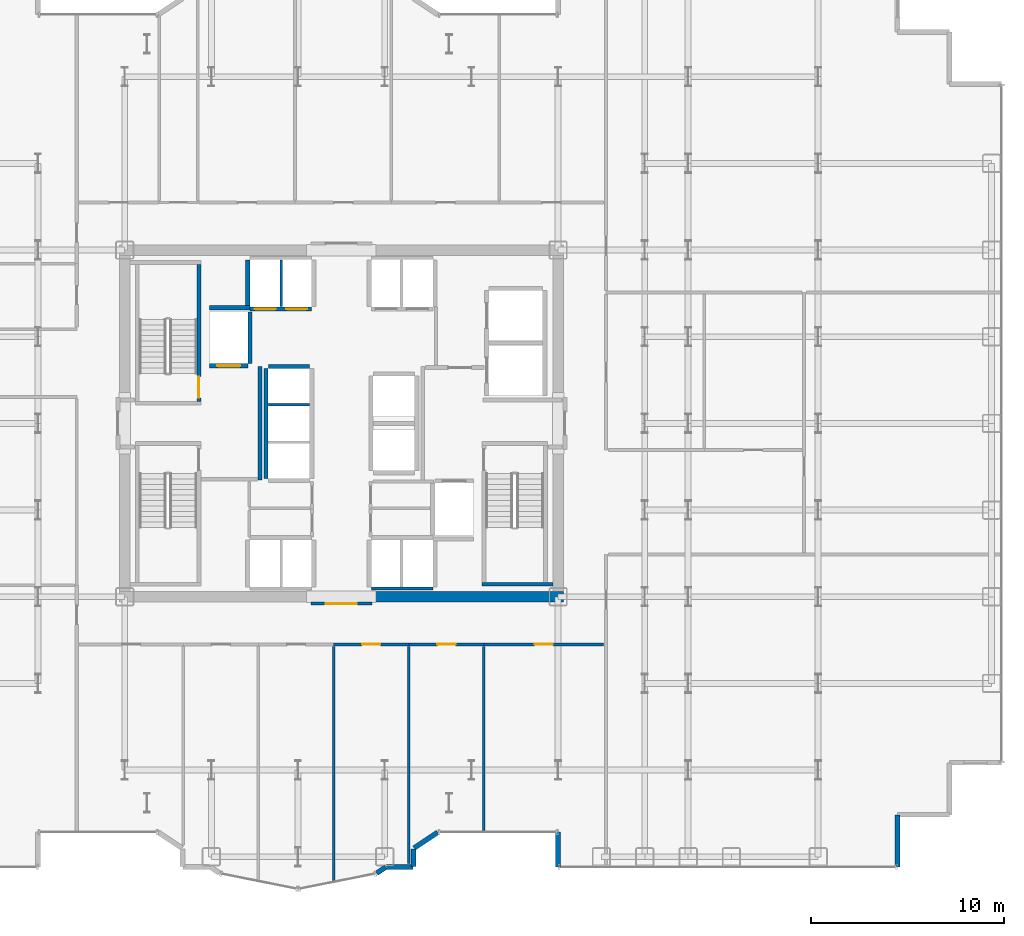
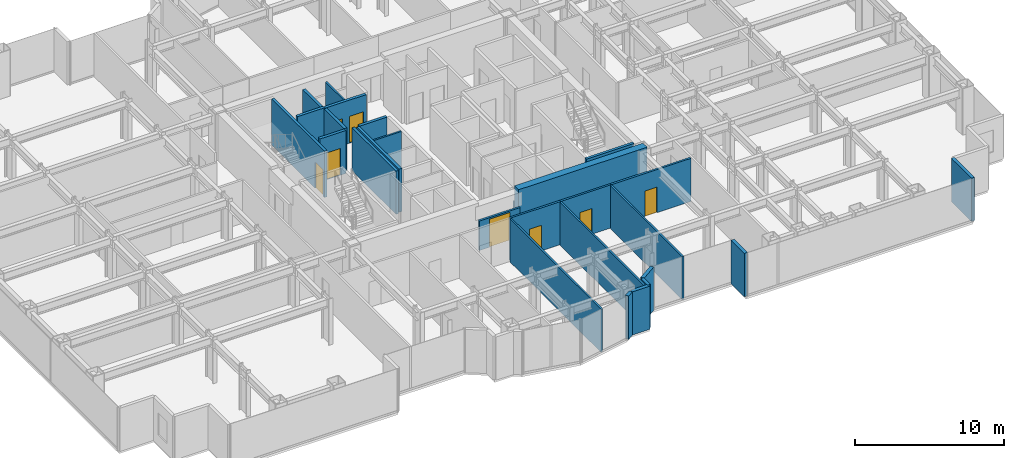
# One storey, part 21 of 26: 27 walls, 8 doors, 8 openings.
"""IFC4 building model written with IfcOpenShell, lengths in metres."""

from ifc_helpers import new_model, si_unit, direction, frame, frame_2d, origin, place, context, subcontext, project, spatial, rectangle, extrude, source, transform, mapped, material, layer, layer_set, type_object, element, fill, save


model = new_model("IFC4")

# Units and contexts
model_context = context("Model", 3, precision=1e-05, world=origin(), true_north=direction((0.0, 1.0)))
body_context = subcontext(model_context, "Body", "Model", "MODEL_VIEW")
ifc_project = project(units=[si_unit("LENGTHUNIT", "METRE"), si_unit("AREAUNIT", "SQUARE_METRE"), si_unit("VOLUMEUNIT", "CUBIC_METRE"), si_unit("PLANEANGLEUNIT", "RADIAN"), si_unit("MASSUNIT", "GRAM", prefix="KILO")], contexts=[model_context])

# Site, building, storey
site_placement = place(None, origin())
site = spatial("IfcSite", under=ifc_project, at=site_placement, CompositionType="ELEMENT")
building_placement = place(site_placement, origin())
building = spatial("IfcBuilding", under=site, at=building_placement, Name="Nefas-Gora Pilgrimage Tower", CompositionType="ELEMENT")
storey_placement = place(building_placement, frame((0.0, 0.0, 94.60009765625)))
storey = spatial("IfcBuildingStorey", under=building, at=storey_placement, Name="L22", CompositionType="ELEMENT", Elevation=94.60009765625)

# Walls
ifc_material_1 = material(Name="Concrete C60/75", Category="concrete")
ifc_layer_1 = layer(ifc_material_1, 0.550048828125)
ifc_layer_set_1 = layer_set([ifc_layer_1], Name="Concrete C60/75")
wall_type_1 = type_object("IfcWallType", Name="SW-CORE-550", PredefinedType="SHEAR", material=ifc_layer_set_1)
shared_shape_1 = source(origin(), body_context, "Body", "SweptSolid", [
    extrude(rectangle(XDim=9.974853515625, YDim=0.550048828125, at=frame_2d((4.9873046875, 0.0))), origin(), (0.0, 0.0, 1.0), 3.7998046875),
])
wall_1_placement = place(storey_placement, frame((1.550048828125, -9.0, 0.0), z_axis=(0.0, 0.0, 1.0), x_axis=(1.0, 0.0, 0.0)))
element("IfcWall", 1, at=wall_1_placement, inside=storey, type_object=wall_type_1, Name="L22 Core Shear Wall S-East", PredefinedType="SHEAR", context=body_context, shape_type="MappedRepresentation", body=[
    mapped(shared_shape_1, transform((0.0, 0.0, 0.0), x_axis=(1.0, 0.0, 0.0), y_axis=(0.0, 1.0, 0.0), z_axis=(0.0, 0.0, 1.0), scale=1.0)),
])
ifc_material_2 = material(Name="Precast concrete C40/50", Category="concrete")
ifc_layer_2 = layer(ifc_material_2, 0.260009765625)
ifc_layer_set_2 = layer_set([ifc_layer_2], Name="Precast concrete C40/50")
wall_type_2 = type_object("IfcWallType", Name="EW-PORTAL-260", PredefinedType="SOLIDWALL", material=ifc_layer_set_2)
shared_shape_2 = source(origin(), body_context, "Body", "SweptSolid", [
    extrude(rectangle(XDim=1.800048828125, YDim=0.260009765625, at=frame_2d((0.89990234375, 0.0))), origin(), (0.0, 0.0, 1.0), 3.5498046875),
])
wall_2_placement = place(storey_placement, frame((11.25, -21.219970703125, 0.0), z_axis=(0.0, 0.0, 1.0), x_axis=(0.0, -1.0, 0.0)))
element("IfcWall", 2, at=wall_2_placement, inside=storey, type_object=wall_type_2, Name="L22 Lobe Shoulder Precast Spandrel Pier 1", PredefinedType="SOLIDWALL", context=body_context, shape_type="MappedRepresentation", body=[
    mapped(shared_shape_2, transform((0.0, 0.0, 0.0), x_axis=(1.0, 0.0, 0.0), y_axis=(0.0, 1.0, 0.0), z_axis=(0.0, 0.0, 1.0), scale=1.0)),
])
ifc_material_3 = material(Name="Precast concrete C45/55", Category="concrete")
ifc_layer_3 = layer(ifc_material_3, 0.239990234375)
ifc_layer_set_3 = layer_set([ifc_layer_3], Name="Precast concrete C45/55")
wall_type_3 = type_object("IfcWallType", Name="EW-SERR-240", PredefinedType="SHEAR", material=ifc_layer_set_3)
shared_shape_3 = source(origin(), body_context, "Body", "SweptSolid", [
    extrude(rectangle(XDim=2.699951171875, YDim=0.239990234375, at=frame_2d((1.35009765625, 0.0))), origin(), (0.0, 0.0, 1.0), 3.5498046875),
])
wall_3_placement = place(storey_placement, frame((28.8701171875, -23.02001953125, 0.0), z_axis=(0.0, 0.0, 1.0), x_axis=(0.0, 1.0, 0.0)))
element("IfcWall", 3, at=wall_3_placement, inside=storey, type_object=wall_type_3, Name="L22 Serrated Corner Shear Pier Wall 2", PredefinedType="SHEAR", context=body_context, shape_type="MappedRepresentation", body=[
    mapped(shared_shape_3, transform((0.0, 0.0, 0.0), x_axis=(1.0, 0.0, 0.0), y_axis=(0.0, 1.0, 0.0), z_axis=(0.0, 0.0, 1.0), scale=1.0)),
])
shared_shape_4 = source(origin(), body_context, "Body", "SweptSolid", [
    extrude(rectangle(XDim=1.468994140625, YDim=0.260009765625, at=frame_2d((0.734375, 0.0))), origin(), (0.0, 0.0, 1.0), 3.5498046875),
])
wall_4_placement = place(storey_placement, frame((3.773193359375, -22.0517578125, 0.0), z_axis=(0.0, 0.0, 1.0), x_axis=(0.831461760506, 0.555581983884, 0.0)))
element("IfcWall", 4, at=wall_4_placement, inside=storey, type_object=wall_type_2, Name="L22 Lobe Shoulder Precast Spandrel Pier 36", PredefinedType="SOLIDWALL", context=body_context, shape_type="MappedRepresentation", body=[
    mapped(shared_shape_4, transform((0.0, 0.0, 0.0), x_axis=(1.0, 0.0, 0.0), y_axis=(0.0, 1.0, 0.0), z_axis=(0.0, 0.0, 1.0), scale=1.0)),
])
shared_shape_5 = source(origin(), body_context, "Body", "SweptSolid", [
    extrude(rectangle(XDim=0.896728515625, YDim=0.260009765625, at=frame_2d((0.4482421875, 0.0))), origin(), (0.0, 0.0, 1.0), 3.5498046875),
])
wall_5_placement = place(storey_placement, frame((3.75, -22.991943359375, 0.0), z_axis=(0.0, 0.0, 1.0), x_axis=(0.0, 1.0, 0.0)))
element("IfcWall", 5, at=wall_5_placement, inside=storey, type_object=wall_type_2, Name="L22 Lobe Shoulder Precast Spandrel Pier 35", PredefinedType="SOLIDWALL", context=body_context, shape_type="MappedRepresentation", body=[
    mapped(shared_shape_5, transform((0.0, 0.0, 0.0), x_axis=(1.0, 0.0, 0.0), y_axis=(0.0, 1.0, 0.0), z_axis=(0.0, 0.0, 1.0), scale=1.0)),
])
shared_shape_6 = source(origin(), body_context, "Body", "SweptSolid", [
    extrude(rectangle(XDim=1.369873046875, YDim=0.260009765625, at=frame_2d((0.68505859375, 0.0))), origin(), (0.0, 0.0, 1.0), 3.5498046875),
])
wall_6_placement = place(storey_placement, frame((2.35205078125, -23.02001953125, 0.0), z_axis=(0.0, 0.0, 1.0), x_axis=(1.0, 0.0, 0.0)))
element("IfcWall", 6, at=wall_6_placement, inside=storey, type_object=wall_type_2, Name="L22 Lobe Shoulder Precast Spandrel Pier 34", PredefinedType="SOLIDWALL", context=body_context, shape_type="MappedRepresentation", body=[
    mapped(shared_shape_6, transform((0.0, 0.0, 0.0), x_axis=(1.0, 0.0, 0.0), y_axis=(0.0, 1.0, 0.0), z_axis=(0.0, 0.0, 1.0), scale=1.0)),
])
shared_shape_7 = source(origin(), body_context, "Body", "SweptSolid", [
    extrude(rectangle(XDim=0.5654296875, YDim=0.260009765625, at=frame_2d((0.28271484375, 0.0))), origin(), (0.0, 0.0, 1.0), 3.5498046875),
])
wall_7_placement = place(storey_placement, frame((1.83056640625, -23.349609375, 0.0), z_axis=(0.0, 0.0, 1.0), x_axis=(0.831651492666, 0.555297933317, 0.0)))
element("IfcWall", 7, at=wall_7_placement, inside=storey, type_object=wall_type_2, Name="L22 Lobe Shoulder Precast Spandrel Pier 33", PredefinedType="SOLIDWALL", context=body_context, shape_type="MappedRepresentation", body=[
    mapped(shared_shape_7, transform((0.0, 0.0, 0.0), x_axis=(1.0, 0.0, 0.0), y_axis=(0.0, 1.0, 0.0), z_axis=(0.0, 0.0, 1.0), scale=1.0)),
])

# Wall, opening, door
ifc_material_4 = material(Name="Concrete C45/55", Category="concrete")
ifc_layer_4 = layer(ifc_material_4, 0.199951171875)
ifc_layer_set_4 = layer_set([ifc_layer_4], Name="Concrete C45/55")
wall_type_4 = type_object("IfcWallType", Name="IW-STAIR-200", PredefinedType="SOLIDWALL", material=ifc_layer_set_4)
shared_shape_8 = source(origin(), body_context, "Body", "SweptSolid", [
    extrude(rectangle(XDim=7.10009765625, YDim=0.199951171875, at=frame_2d((3.550048828125, 0.0))), origin(), (0.0, 0.0, 1.0), 3.7998046875),
])
wall_8_placement = place(storey_placement, frame((-7.39990234375, 1.14990234375, 0.0), z_axis=(0.0, 0.0, 1.0), x_axis=(0.0, 1.0, 0.0)))
wall_8 = element("IfcWall", 8, at=wall_8_placement, inside=storey, type_object=wall_type_4, Name="L22 Stairwell Shear Wall ST-01-left", PredefinedType="SOLIDWALL", context=body_context, shape_type="MappedRepresentation", body=[
    mapped(shared_shape_8, transform((0.0, 0.0, 0.0), x_axis=(1.0, 0.0, 0.0), y_axis=(0.0, 1.0, 0.0), z_axis=(0.0, 0.0, 1.0), scale=1.0)),
])
opening_1_placement = place(wall_8_placement, frame((0.179931640625, 0.0, 0.0)))
opening_1 = element("IfcOpeningElement", 9, at=opening_1_placement, cuts=wall_8, Name="Opening ID-ST1", PredefinedType="OPENING", context=body_context, shape_type="SweptSolid", body=[
    extrude(rectangle(XDim=1.10009765625, YDim=2.14990234375, at=frame_2d((0.550048828125, 1.074951171875))), frame((0.0, 0.10986328125, 0.0), z_axis=(0.0, -1.0, 0.0), x_axis=(1.0, 0.0, 0.0)), (0.0, 0.0, 1.0), 0.219970703125),
])
ifc_material_5 = material(Name="Painted galvanised steel fire stair door", Category="steel")
door_type_1 = type_object("IfcDoorType", Name="DR-INT-STAIR-1100", OperationType="NOTDEFINED", PredefinedType="DOOR", material=ifc_material_5)
shared_shape_9 = source(origin(), body_context, "Body", "SweptSolid", [
    extrude(rectangle(XDim=1.10009765625, YDim=2.14990234375, at=frame_2d((0.550048828125, 1.074951171875))), frame((0.0, 0.02490234375, 0.0), z_axis=(0.0, -1.0, 0.0), x_axis=(1.0, 0.0, 0.0)), (0.0, 0.0, 1.0), 0.050048828125),
])
door_1_placement = place(opening_1_placement, origin())
door_1 = element("IfcDoor", 10, at=door_1_placement, inside=storey, type_object=door_type_1, Name="L22 Protected Exit Stair Door ST-01", OperationType="SINGLE_SWING_RIGHT", OverallHeight=2.14990234375, OverallWidth=1.10009765625, PredefinedType="DOOR", context=body_context, shape_type="MappedRepresentation", body=[
    mapped(shared_shape_9, transform((0.0, 0.0, 0.0), x_axis=(1.0, 0.0, 0.0), y_axis=(0.0, 1.0, 0.0), z_axis=(0.0, 0.0, 1.0), scale=1.0)),
])
fill(opening_1, door_1)

# Wall
shared_shape_10 = source(origin(), body_context, "Body", "SweptSolid", [
    extrude(rectangle(XDim=3.679931640625, YDim=0.199951171875, at=frame_2d((1.83984375, 0.0))), origin(), (0.0, 0.0, 1.0), 3.7998046875),
])
wall_9_placement = place(storey_placement, frame((7.300048828125, -8.35009765625, 0.0), z_axis=(0.0, 0.0, 1.0), x_axis=(1.0, 0.0, 0.0)))
element("IfcWall", 11, at=wall_9_placement, inside=storey, type_object=wall_type_4, Name="L22 Stairwell Shear Wall ST-02-far", PredefinedType="SOLIDWALL", context=body_context, shape_type="MappedRepresentation", body=[
    mapped(shared_shape_10, transform((0.0, 0.0, 0.0), x_axis=(1.0, 0.0, 0.0), y_axis=(0.0, 1.0, 0.0), z_axis=(0.0, 0.0, 1.0), scale=1.0)),
])

# Wall, opening, door
ifc_material_6 = material(Name="Concrete C40/50", Category="concrete")
ifc_layer_5 = layer(ifc_material_6, 0.219970703125)
ifc_layer_set_5 = layer_set([ifc_layer_5], Name="Concrete C40/50")
wall_type_5 = type_object("IfcWallType", Name="IW-SHAFT-220", PredefinedType="SOLIDWALL", material=ifc_layer_set_5)
shared_shape_11 = source(origin(), body_context, "Body", "SweptSolid", [
    extrude(rectangle(XDim=2.0, YDim=0.219970703125, at=frame_2d((1.0, 0.0))), origin(), (0.0, 0.0, 1.0), 3.534912109375),
])
wall_10_placement = place(storey_placement, frame((-6.85009765625, 2.989990234375, 0.0), z_axis=(0.0, 0.0, 1.0), x_axis=(1.0, 0.0, 0.0)))
wall_10 = element("IfcWall", 12, at=wall_10_placement, inside=storey, type_object=wall_type_5, Name="L22 Hoistway Wall FFL-01-S", PredefinedType="SOLIDWALL", context=body_context, shape_type="MappedRepresentation", body=[
    mapped(shared_shape_11, transform((0.0, 0.0, 0.0), x_axis=(1.0, 0.0, 0.0), y_axis=(0.0, 1.0, 0.0), z_axis=(0.0, 0.0, 1.0), scale=1.0)),
])
opening_2_placement = place(wall_10_placement, frame((0.39990234375, 0.0, 0.0)))
opening_2 = element("IfcOpeningElement", 13, at=opening_2_placement, cuts=wall_10, Name="Opening LD-FF", PredefinedType="OPENING", context=body_context, shape_type="SweptSolid", body=[
    extrude(rectangle(XDim=1.199951171875, YDim=2.199951171875, at=frame_2d((0.60009765625, 1.10009765625))), frame((0.0, 0.119873046875, 0.0), z_axis=(0.0, -1.0, 0.0), x_axis=(1.0, 0.0, 0.0)), (0.0, 0.0, 1.0), 0.239990234375),
])
ifc_material_7 = material(Name="Fire-service sliding lift landing door")
door_type_2 = type_object("IfcDoorType", Name="DR-LIFT-FSAE-1200", OperationType="SLIDING_TO_LEFT", PredefinedType="DOOR", material=ifc_material_7)
shared_shape_12 = source(origin(), body_context, "Body", "SweptSolid", [
    extrude(rectangle(XDim=1.199951171875, YDim=2.199951171875, at=frame_2d((0.60009765625, 1.10009765625))), frame((0.0, 0.02490234375, 0.0), z_axis=(0.0, -1.0, 0.0), x_axis=(1.0, 0.0, 0.0)), (0.0, 0.0, 1.0), 0.050048828125),
])
door_2_placement = place(opening_2_placement, origin())
door_2 = element("IfcDoor", 14, at=door_2_placement, inside=storey, type_object=door_type_2, Name="L22 Sliding Lift Landing Door FFL-01", OperationType="SLIDING_TO_LEFT", OverallHeight=2.199951171875, OverallWidth=1.199951171875, PredefinedType="DOOR", context=body_context, shape_type="MappedRepresentation", body=[
    mapped(shared_shape_12, transform((0.0, 0.0, 0.0), x_axis=(1.0, 0.0, 0.0), y_axis=(0.0, 1.0, 0.0), z_axis=(0.0, 0.0, 1.0), scale=1.0)),
])
fill(opening_2, door_2)

# Wall
shared_shape_13 = source(origin(), body_context, "Body", "SweptSolid", [
    extrude(rectangle(XDim=2.679931640625, YDim=0.219970703125, at=frame_2d((1.33984375, 0.0))), origin(), (0.0, 0.0, 1.0), 3.534912109375),
])
wall_11_placement = place(storey_placement, frame((-4.739990234375, 3.110107421875, 0.0), z_axis=(0.0, 0.0, 1.0), x_axis=(0.0, 1.0, 0.0)))
element("IfcWall", 15, at=wall_11_placement, inside=storey, type_object=wall_type_5, Name="L22 Hoistway Wall FFL-01-E", PredefinedType="SOLIDWALL", context=body_context, shape_type="MappedRepresentation", body=[
    mapped(shared_shape_13, transform((0.0, 0.0, 0.0), x_axis=(1.0, 0.0, 0.0), y_axis=(0.0, 1.0, 0.0), z_axis=(0.0, 0.0, 1.0), scale=1.0)),
])

# Wall, openings, doors
shared_shape_14 = source(origin(), body_context, "Body", "SweptSolid", [
    extrude(rectangle(XDim=3.199951171875, YDim=0.219970703125, at=frame_2d((1.60009765625, 0.0))), origin(), (0.0, 0.0, 1.0), 3.534912109375),
])
wall_12_placement = place(storey_placement, frame((-4.75, 5.93994140625, 0.0), z_axis=(0.0, 0.0, 1.0), x_axis=(1.0, 0.0, 0.0)))
wall_12 = element("IfcWall", 16, at=wall_12_placement, inside=storey, type_object=wall_type_5, Name="L22 Hoistway Wall PL1-W-S", PredefinedType="SOLIDWALL", context=body_context, shape_type="MappedRepresentation", body=[
    mapped(shared_shape_14, transform((0.0, 0.0, 0.0), x_axis=(1.0, 0.0, 0.0), y_axis=(0.0, 1.0, 0.0), z_axis=(0.0, 0.0, 1.0), scale=1.0)),
])
opening_3_placement = place(wall_12_placement, frame((0.25, 0.0, 0.0)))
opening_3 = element("IfcOpeningElement", 17, at=opening_3_placement, cuts=wall_12, Name="Opening LD-01", PredefinedType="OPENING", context=body_context, shape_type="SweptSolid", body=[
    extrude(rectangle(XDim=1.10009765625, YDim=2.199951171875, at=frame_2d((0.550048828125, 1.10009765625))), frame((0.0, 0.119873046875, 0.0), z_axis=(0.0, -1.0, 0.0), x_axis=(1.0, 0.0, 0.0)), (0.0, 0.0, 1.0), 0.239990234375),
])
opening_4_placement = place(wall_12_placement, frame((1.875, 0.0, 0.0)))
opening_4 = element("IfcOpeningElement", 18, at=opening_4_placement, cuts=wall_12, Name="Opening LD-01", PredefinedType="OPENING", context=body_context, shape_type="SweptSolid", body=[
    extrude(rectangle(XDim=1.10009765625, YDim=2.199951171875, at=frame_2d((0.550048828125, 1.10009765625))), frame((0.0, 0.119873046875, 0.0), z_axis=(0.0, -1.0, 0.0), x_axis=(1.0, 0.0, 0.0)), (0.0, 0.0, 1.0), 0.239990234375),
])
ifc_material_8 = material(Name="Brushed stainless sliding lift landing door")
door_type_3 = type_object("IfcDoorType", Name="DR-LIFT-PASS-1100", OperationType="DOUBLE_DOOR_SLIDING", PredefinedType="DOOR", material=ifc_material_8)
shared_shape_15 = source(origin(), body_context, "Body", "SweptSolid", [
    extrude(rectangle(XDim=1.10009765625, YDim=2.199951171875, at=frame_2d((0.550048828125, 1.10009765625))), frame((0.0, 0.02490234375, 0.0), z_axis=(0.0, -1.0, 0.0), x_axis=(1.0, 0.0, 0.0)), (0.0, 0.0, 1.0), 0.050048828125),
])
door_3_placement = place(opening_3_placement, origin())
door_3 = element("IfcDoor", 19, at=door_3_placement, inside=storey, type_object=door_type_3, Name="L22 Sliding Lift Landing Door PL1-01", OperationType="DOUBLE_DOOR_SLIDING", OverallHeight=2.199951171875, OverallWidth=1.10009765625, PredefinedType="DOOR", context=body_context, shape_type="MappedRepresentation", body=[
    mapped(shared_shape_15, transform((0.0, 0.0, 0.0), x_axis=(1.0, 0.0, 0.0), y_axis=(0.0, 1.0, 0.0), z_axis=(0.0, 0.0, 1.0), scale=1.0)),
])
fill(opening_3, door_3)
door_4_placement = place(opening_4_placement, origin())
door_4 = element("IfcDoor", 20, at=door_4_placement, inside=storey, type_object=door_type_3, Name="L22 Sliding Lift Landing Door PL1-02", OperationType="DOUBLE_DOOR_SLIDING", OverallHeight=2.199951171875, OverallWidth=1.10009765625, PredefinedType="DOOR", context=body_context, shape_type="MappedRepresentation", body=[
    mapped(shared_shape_15, transform((0.0, 0.0, 0.0), x_axis=(1.0, 0.0, 0.0), y_axis=(0.0, 1.0, 0.0), z_axis=(0.0, 0.0, 1.0), scale=1.0)),
])
fill(opening_4, door_4)

# Walls
shared_shape_16 = source(origin(), body_context, "Body", "SweptSolid", [
    extrude(rectangle(XDim=2.429931640625, YDim=0.219970703125, at=frame_2d((1.21484375, 0.0))), origin(), (0.0, 0.0, 1.0), 3.534912109375),
])
wall_13_placement = place(storey_placement, frame((-4.860107421875, 8.489990234375, 0.0), z_axis=(0.0, 0.0, 1.0), x_axis=(0.0, -1.0, 0.0)))
element("IfcWall", 21, at=wall_13_placement, inside=storey, type_object=wall_type_5, Name="L22 Hoistway Wall PL1-W-W", PredefinedType="SOLIDWALL", context=body_context, shape_type="MappedRepresentation", body=[
    mapped(shared_shape_16, transform((0.0, 0.0, 0.0), x_axis=(1.0, 0.0, 0.0), y_axis=(0.0, 1.0, 0.0), z_axis=(0.0, 0.0, 1.0), scale=1.0)),
])
ifc_material_9 = material(Name="Gypsum twin-stud partition")
ifc_layer_6 = layer(ifc_material_9, 0.139892578125)
ifc_layer_set_6 = layer_set([ifc_layer_6], Name="Gypsum twin-stud partition")
wall_type_6 = type_object("IfcWallType", Name="IW-UNIT-140", PredefinedType="PARTITIONING", material=ifc_layer_set_6)
shared_shape_17 = source(origin(), body_context, "Body", "SweptSolid", [
    extrude(rectangle(XDim=2.429931640625, YDim=0.139892578125, at=frame_2d((1.21484375, 0.0))), origin(), (0.0, 0.0, 1.0), 3.534912109375),
])
wall_14_placement = place(storey_placement, frame((-3.125, 6.06005859375, 0.0), z_axis=(0.0, 0.0, 1.0), x_axis=(0.0, 1.0, 0.0)))
element("IfcWall", 22, at=wall_14_placement, inside=storey, type_object=wall_type_6, Name="L22 Hoistway Wall PL1-W-DIV", PredefinedType="PARTITIONING", context=body_context, shape_type="MappedRepresentation", body=[
    mapped(shared_shape_17, transform((0.0, 0.0, 0.0), x_axis=(1.0, 0.0, 0.0), y_axis=(0.0, 1.0, 0.0), z_axis=(0.0, 0.0, 1.0), scale=1.0)),
])
shared_shape_18 = source(origin(), body_context, "Body", "SweptSolid", [
    extrude(rectangle(XDim=5.7001953125, YDim=0.219970703125, at=frame_2d((2.85009765625, 0.0))), origin(), (0.0, 0.0, 1.0), 3.534912109375),
])
wall_15_placement = place(storey_placement, frame((-3.909912109375, 2.85009765625, 0.0), z_axis=(0.0, 0.0, 1.0), x_axis=(0.0, -1.0, 0.0)))
element("IfcWall", 23, at=wall_15_placement, inside=storey, type_object=wall_type_5, Name="L22 Hoistway Wall PL3-01-03-W", PredefinedType="SOLIDWALL", context=body_context, shape_type="MappedRepresentation", body=[
    mapped(shared_shape_18, transform((0.0, 0.0, 0.0), x_axis=(1.0, 0.0, 0.0), y_axis=(0.0, 1.0, 0.0), z_axis=(0.0, 0.0, 1.0), scale=1.0)),
])
shared_shape_19 = source(origin(), body_context, "Body", "SweptSolid", [
    extrude(rectangle(XDim=2.130126953125, YDim=0.219970703125, at=frame_2d((1.06494140625, 0.0))), origin(), (0.0, 0.0, 1.0), 3.534912109375),
])
wall_16_placement = place(storey_placement, frame((-1.659912109375, 2.9599609375, 0.0), z_axis=(0.0, 0.0, 1.0), x_axis=(-1.0, 0.0, 0.0)))
element("IfcWall", 24, at=wall_16_placement, inside=storey, type_object=wall_type_5, Name="L22 Hoistway Wall PL3-03-N", PredefinedType="SOLIDWALL", context=body_context, shape_type="MappedRepresentation", body=[
    mapped(shared_shape_19, transform((0.0, 0.0, 0.0), x_axis=(1.0, 0.0, 0.0), y_axis=(0.0, 1.0, 0.0), z_axis=(0.0, 0.0, 1.0), scale=1.0)),
])
shared_shape_20 = source(origin(), body_context, "Body", "SweptSolid", [
    extrude(rectangle(XDim=2.130126953125, YDim=0.139892578125, at=frame_2d((1.06494140625, 0.0))), origin(), (0.0, 0.0, 1.0), 3.534912109375),
])
wall_17_placement = place(storey_placement, frame((-3.7900390625, 0.97509765625, 0.0), z_axis=(0.0, 0.0, 1.0), x_axis=(1.0, 0.0, 0.0)))
element("IfcWall", 25, at=wall_17_placement, inside=storey, type_object=wall_type_6, Name="L22 Hoistway Wall PL3-02-03-DIV", PredefinedType="PARTITIONING", context=body_context, shape_type="MappedRepresentation", body=[
    mapped(shared_shape_20, transform((0.0, 0.0, 0.0), x_axis=(1.0, 0.0, 0.0), y_axis=(0.0, 1.0, 0.0), z_axis=(0.0, 0.0, 1.0), scale=1.0)),
])
ifc_material_10 = material(Name="Gypsum acoustic stud partition")
ifc_layer_7 = layer(ifc_material_10, 0.159912109375)
ifc_layer_set_7 = layer_set([ifc_layer_7], Name="Gypsum acoustic stud partition")
wall_type_7 = type_object("IfcWallType", Name="IW-CORR-160", PredefinedType="PARTITIONING", material=ifc_layer_set_7)
shared_shape_21 = source(origin(), body_context, "Body", "SweptSolid", [
    extrude(rectangle(XDim=3.199951171875, YDim=0.159912109375, at=frame_2d((1.60009765625, 0.0))), origin(), (0.0, 0.0, 1.0), 2.4248046875),
])
wall_18_placement = place(storey_placement, frame((1.550048828125, -8.580078125, 0.0), z_axis=(0.0, 0.0, 1.0), x_axis=(1.0, 0.0, 0.0)))
element("IfcWall", 26, at=wall_18_placement, inside=storey, type_object=wall_type_7, Name="L22 Hoistway Wall PL2-E-S", PredefinedType="PARTITIONING", context=body_context, shape_type="MappedRepresentation", body=[
    mapped(shared_shape_21, transform((0.0, 0.0, 0.0), x_axis=(1.0, 0.0, 0.0), y_axis=(0.0, 1.0, 0.0), z_axis=(0.0, 0.0, 1.0), scale=1.0)),
])
shared_shape_22 = source(origin(), body_context, "Body", "SweptSolid", [
    extrude(rectangle(XDim=2.09521484375, YDim=0.219970703125, at=frame_2d((1.047607421875, 0.0))), origin(), (0.0, 0.0, 1.0), 3.534912109375),
])
wall_19_placement = place(storey_placement, frame((-6.85009765625, 6.0, 0.0), z_axis=(0.0, 0.0, 1.0), x_axis=(1.0, 0.0, 0.0)))
element("IfcWall", 27, at=wall_19_placement, inside=storey, type_object=wall_type_5, Name="L22 Riser Shaft Wall 1", PredefinedType="SOLIDWALL", context=body_context, shape_type="MappedRepresentation", body=[
    mapped(shared_shape_22, transform((0.0, 0.0, 0.0), x_axis=(1.0, 0.0, 0.0), y_axis=(0.0, 1.0, 0.0), z_axis=(0.0, 0.0, 1.0), scale=1.0)),
])
ifc_material_11 = material(Name="Gypsum fire-rated shaftwall")
ifc_layer_8 = layer(ifc_material_11, 0.199951171875)
ifc_layer_set_8 = layer_set([ifc_layer_8], Name="Gypsum fire-rated shaftwall")
wall_type_8 = type_object("IfcWallType", Name="IW-FFLOB-200", PredefinedType="PARTITIONING", material=ifc_layer_set_8)
shared_shape_23 = source(origin(), body_context, "Body", "SweptSolid", [
    extrude(rectangle(XDim=5.89990234375, YDim=0.199951171875, at=frame_2d((2.949951171875, 0.0))), origin(), (0.0, 0.0, 1.0), 3.534912109375),
])
wall_20_placement = place(storey_placement, frame((-4.219970703125, -2.949951171875, 0.0), z_axis=(0.0, 0.0, 1.0), x_axis=(0.0, 1.0, 0.0)))
element("IfcWall", 28, at=wall_20_placement, inside=storey, type_object=wall_type_8, Name="L22 FF Lobby West Inner Wall Wall 4", PredefinedType="PARTITIONING", context=body_context, shape_type="MappedRepresentation", body=[
    mapped(shared_shape_23, transform((0.0, 0.0, 0.0), x_axis=(1.0, 0.0, 0.0), y_axis=(0.0, 1.0, 0.0), z_axis=(0.0, 0.0, 1.0), scale=1.0)),
])
shared_shape_24 = source(origin(), body_context, "Body", "SweptSolid", [
    extrude(rectangle(XDim=9.64990234375, YDim=0.139892578125, at=frame_2d((4.824951171875, 0.0))), origin(), (0.0, 0.0, 1.0), 3.534912109375),
])
wall_21_placement = place(storey_placement, frame((7.39501953125, -21.239990234375, 0.0), z_axis=(0.0, 0.0, 1.0), x_axis=(0.0, 1.0, 0.0)))
element("IfcWall", 29, at=wall_21_placement, inside=storey, type_object=wall_type_6, Name="L22 Pilgrim Contemplative Lounge Partition Wall 65", PredefinedType="PARTITIONING", context=body_context, shape_type="MappedRepresentation", body=[
    mapped(shared_shape_24, transform((0.0, 0.0, 0.0), x_axis=(1.0, 0.0, 0.0), y_axis=(0.0, 1.0, 0.0), z_axis=(0.0, 0.0, 1.0), scale=1.0)),
])

# Wall, opening, door
shared_shape_25 = source(origin(), body_context, "Body", "SweptSolid", [
    extrude(rectangle(XDim=3.905029296875, YDim=0.159912109375, at=frame_2d((1.95263671875, 0.0))), origin(), (0.0, 0.0, 1.0), 3.534912109375),
])
wall_22_placement = place(storey_placement, frame((-0.405029296875, -11.469970703125, 0.0), z_axis=(0.0, 0.0, 1.0), x_axis=(1.0, 0.0, 0.0)))
wall_22 = element("IfcWall", 30, at=wall_22_placement, inside=storey, type_object=wall_type_7, Name="L22 Pilgrim Contemplative Lounge Partition Wall 62", PredefinedType="PARTITIONING", context=body_context, shape_type="MappedRepresentation", body=[
    mapped(shared_shape_25, transform((0.0, 0.0, 0.0), x_axis=(1.0, 0.0, 0.0), y_axis=(0.0, 1.0, 0.0), z_axis=(0.0, 0.0, 1.0), scale=1.0)),
])
opening_5_placement = place(wall_22_placement, frame((1.4775390625, 0.0, 0.0)))
opening_5 = element("IfcOpeningElement", 31, at=opening_5_placement, cuts=wall_22, Name="Opening ID-GR1", PredefinedType="OPENING", context=body_context, shape_type="SweptSolid", body=[
    extrude(rectangle(XDim=0.949951171875, YDim=2.10009765625, at=frame_2d((0.47509765625, 1.050048828125))), frame((0.0, 0.08984375, 0.0), z_axis=(0.0, -1.0, 0.0), x_axis=(1.0, 0.0, 0.0)), (0.0, 0.0, 1.0), 0.179931640625),
])
ifc_material_12 = material(Name="Solid core oak fire-rated guest entrance door")
door_type_4 = type_object("IfcDoorType", Name="DR-INT-GUEST-950", OperationType="NOTDEFINED", PredefinedType="DOOR", material=ifc_material_12)
shared_shape_26 = source(origin(), body_context, "Body", "SweptSolid", [
    extrude(rectangle(XDim=0.949951171875, YDim=2.10009765625, at=frame_2d((0.47509765625, 1.050048828125))), frame((0.0, 0.02490234375, 0.0), z_axis=(0.0, -1.0, 0.0), x_axis=(1.0, 0.0, 0.0)), (0.0, 0.0, 1.0), 0.050048828125),
])
door_5_placement = place(opening_5_placement, origin())
door_5 = element("IfcDoor", 32, at=door_5_placement, inside=storey, type_object=door_type_4, Name="L22 Pilgrim Contemplative Lounge Door 29", OperationType="SINGLE_SWING_LEFT", OverallHeight=2.10009765625, OverallWidth=0.949951171875, PredefinedType="DOOR", context=body_context, shape_type="MappedRepresentation", body=[
    mapped(shared_shape_26, transform((0.0, 0.0, 0.0), x_axis=(1.0, 0.0, 0.0), y_axis=(0.0, 1.0, 0.0), z_axis=(0.0, 0.0, 1.0), scale=1.0)),
])
fill(opening_5, door_5)

wall_23_placement = place(storey_placement, frame((3.5, -11.469970703125, 0.0), z_axis=(0.0, 0.0, 1.0), x_axis=(1.0, 0.0, 0.0)))
wall_23 = element("IfcWall", 33, at=wall_23_placement, inside=storey, type_object=wall_type_7, Name="L22 Pilgrim Contemplative Lounge Partition Wall 64", PredefinedType="PARTITIONING", context=body_context, shape_type="MappedRepresentation", body=[
    mapped(shared_shape_25, transform((0.0, 0.0, 0.0), x_axis=(1.0, 0.0, 0.0), y_axis=(0.0, 1.0, 0.0), z_axis=(0.0, 0.0, 1.0), scale=1.0)),
])
opening_6_placement = place(wall_23_placement, frame((1.4775390625, 0.0, 0.0)))
opening_6 = element("IfcOpeningElement", 34, at=opening_6_placement, cuts=wall_23, Name="Opening ID-GR1", PredefinedType="OPENING", context=body_context, shape_type="SweptSolid", body=[
    extrude(rectangle(XDim=0.949951171875, YDim=2.10009765625, at=frame_2d((0.47509765625, 1.050048828125))), frame((0.0, 0.08984375, 0.0), z_axis=(0.0, -1.0, 0.0), x_axis=(1.0, 0.0, 0.0)), (0.0, 0.0, 1.0), 0.179931640625),
])
door_6_placement = place(opening_6_placement, origin())
door_6 = element("IfcDoor", 35, at=door_6_placement, inside=storey, type_object=door_type_4, Name="L22 Pilgrim Contemplative Lounge Door 30", OperationType="SINGLE_SWING_RIGHT", OverallHeight=2.10009765625, OverallWidth=0.949951171875, PredefinedType="DOOR", context=body_context, shape_type="MappedRepresentation", body=[
    mapped(shared_shape_26, transform((0.0, 0.0, 0.0), x_axis=(1.0, 0.0, 0.0), y_axis=(0.0, 1.0, 0.0), z_axis=(0.0, 0.0, 1.0), scale=1.0)),
])
fill(opening_6, door_6)

# Walls
shared_shape_27 = source(origin(), body_context, "Body", "SweptSolid", [
    extrude(rectangle(XDim=12.235595703125, YDim=0.139892578125, at=frame_2d((6.11767578125, 0.0))), origin(), (0.0, 0.0, 1.0), 3.534912109375),
])
wall_24_placement = place(storey_placement, frame((-0.405029296875, -23.82568359375, 0.0), z_axis=(0.0, 0.0, 1.0), x_axis=(0.0, 1.0, 0.0)))
element("IfcWall", 36, at=wall_24_placement, inside=storey, type_object=wall_type_6, Name="L22 Pilgrim Contemplative Lounge Partition Wall 61", PredefinedType="PARTITIONING", context=body_context, shape_type="MappedRepresentation", body=[
    mapped(shared_shape_27, transform((0.0, 0.0, 0.0), x_axis=(1.0, 0.0, 0.0), y_axis=(0.0, 1.0, 0.0), z_axis=(0.0, 0.0, 1.0), scale=1.0)),
])
shared_shape_28 = source(origin(), body_context, "Body", "SweptSolid", [
    extrude(rectangle(XDim=11.260009765625, YDim=0.139892578125, at=frame_2d((5.6298828125, 0.0))), origin(), (0.0, 0.0, 1.0), 3.534912109375),
])
wall_25_placement = place(storey_placement, frame((3.489990234375, -22.85009765625, 0.0), z_axis=(0.0, 0.0, 1.0), x_axis=(0.0, 1.0, 0.0)))
element("IfcWall", 37, at=wall_25_placement, inside=storey, type_object=wall_type_6, Name="L22 Pilgrim Contemplative Lounge Partition Wall 63", PredefinedType="PARTITIONING", context=body_context, shape_type="MappedRepresentation", body=[
    mapped(shared_shape_28, transform((0.0, 0.0, 0.0), x_axis=(1.0, 0.0, 0.0), y_axis=(0.0, 1.0, 0.0), z_axis=(0.0, 0.0, 1.0), scale=1.0)),
])

# Wall, opening, door
shared_shape_29 = source(origin(), body_context, "Body", "SweptSolid", [
    extrude(rectangle(XDim=6.22509765625, YDim=0.159912109375, at=frame_2d((3.112548828125, 0.0))), origin(), (0.0, 0.0, 1.0), 3.534912109375),
])
wall_26_placement = place(storey_placement, frame((7.39501953125, -11.469970703125, 0.0), z_axis=(0.0, 0.0, 1.0), x_axis=(1.0, 0.0, 0.0)))
wall_26 = element("IfcWall", 38, at=wall_26_placement, inside=storey, type_object=wall_type_7, Name="L22 Pilgrim Contemplative Lounge Partition Wall 66", PredefinedType="PARTITIONING", context=body_context, shape_type="MappedRepresentation", body=[
    mapped(shared_shape_29, transform((0.0, 0.0, 0.0), x_axis=(1.0, 0.0, 0.0), y_axis=(0.0, 1.0, 0.0), z_axis=(0.0, 0.0, 1.0), scale=1.0)),
])
opening_7_placement = place(wall_26_placement, frame((2.637451171875, 0.0, 0.0)))
opening_7 = element("IfcOpeningElement", 39, at=opening_7_placement, cuts=wall_26, Name="Opening ID-GR1", PredefinedType="OPENING", context=body_context, shape_type="SweptSolid", body=[
    extrude(rectangle(XDim=0.949951171875, YDim=2.10009765625, at=frame_2d((0.47509765625, 1.050048828125))), frame((0.0, 0.08984375, 0.0), z_axis=(0.0, -1.0, 0.0), x_axis=(1.0, 0.0, 0.0)), (0.0, 0.0, 1.0), 0.179931640625),
])
door_7_placement = place(opening_7_placement, origin())
door_7 = element("IfcDoor", 40, at=door_7_placement, inside=storey, type_object=door_type_4, Name="L22 Pilgrim Contemplative Lounge Door 31", OperationType="SINGLE_SWING_LEFT", OverallHeight=2.10009765625, OverallWidth=0.949951171875, PredefinedType="DOOR", context=body_context, shape_type="MappedRepresentation", body=[
    mapped(shared_shape_26, transform((0.0, 0.0, 0.0), x_axis=(1.0, 0.0, 0.0), y_axis=(0.0, 1.0, 0.0), z_axis=(0.0, 0.0, 1.0), scale=1.0)),
])
fill(opening_7, door_7)

shared_shape_30 = source(origin(), body_context, "Body", "SweptSolid", [
    extrude(rectangle(XDim=3.16015625, YDim=0.159912109375, at=frame_2d((1.580078125, 0.0))), origin(), (0.0, 0.0, 1.0), 2.4248046875),
])
wall_27_placement = place(storey_placement, frame((-1.580078125, -9.35009765625, 0.0), z_axis=(0.0, 0.0, 1.0), x_axis=(1.0, 0.0, 0.0)))
wall_27 = element("IfcWall", 41, at=wall_27_placement, inside=storey, type_object=wall_type_7, Name="L22 Central Lift Lobby South Portal Wall 14", PredefinedType="PARTITIONING", context=body_context, shape_type="MappedRepresentation", body=[
    mapped(shared_shape_30, transform((0.0, 0.0, 0.0), x_axis=(1.0, 0.0, 0.0), y_axis=(0.0, 1.0, 0.0), z_axis=(0.0, 0.0, 1.0), scale=1.0)),
])
opening_8_placement = place(wall_27_placement, frame((0.780029296875, 0.0, 0.0)))
opening_8 = element("IfcOpeningElement", 42, at=opening_8_placement, cuts=wall_27, Name="Opening ID-HL1", PredefinedType="OPENING", context=body_context, shape_type="SweptSolid", body=[
    extrude(rectangle(XDim=1.60009765625, YDim=2.300048828125, at=frame_2d((0.800048828125, 1.14990234375))), frame((0.0, 0.08984375, 0.0), z_axis=(0.0, -1.0, 0.0), x_axis=(1.0, 0.0, 0.0)), (0.0, 0.0, 1.0), 0.179931640625),
])
ifc_material_13 = material(Name="Double acoustic timber assembly hall door", Category="wood")
door_type_5 = type_object("IfcDoorType", Name="DR-INT-HALL-1600", OperationType="DOUBLE_DOOR_SINGLE_SWING", PredefinedType="DOOR", material=ifc_material_13)
shared_shape_31 = source(origin(), body_context, "Body", "SweptSolid", [
    extrude(rectangle(XDim=1.60009765625, YDim=2.300048828125, at=frame_2d((0.800048828125, 1.14990234375))), frame((0.0, 0.02490234375, 0.0), z_axis=(0.0, -1.0, 0.0), x_axis=(1.0, 0.0, 0.0)), (0.0, 0.0, 1.0), 0.050048828125),
])
door_8_placement = place(opening_8_placement, origin())
door_8 = element("IfcDoor", 43, at=door_8_placement, inside=storey, type_object=door_type_5, Name="L22 Central Lift Lobby South Portal Door 5", OperationType="DOUBLE_DOOR_SINGLE_SWING", OverallHeight=2.300048828125, OverallWidth=1.60009765625, PredefinedType="DOOR", context=body_context, shape_type="MappedRepresentation", body=[
    mapped(shared_shape_31, transform((0.0, 0.0, 0.0), x_axis=(1.0, 0.0, 0.0), y_axis=(0.0, 1.0, 0.0), z_axis=(0.0, 0.0, 1.0), scale=1.0)),
])
fill(opening_8, door_8)

save(model, "model.ifc")
